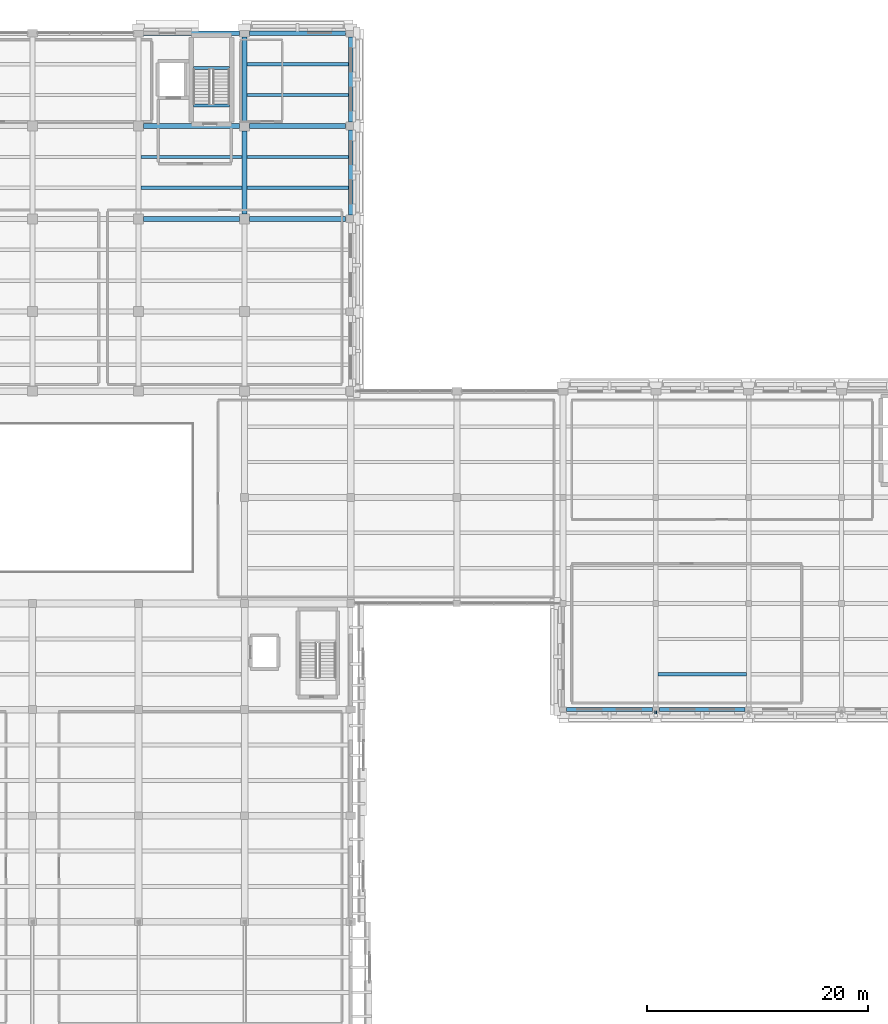
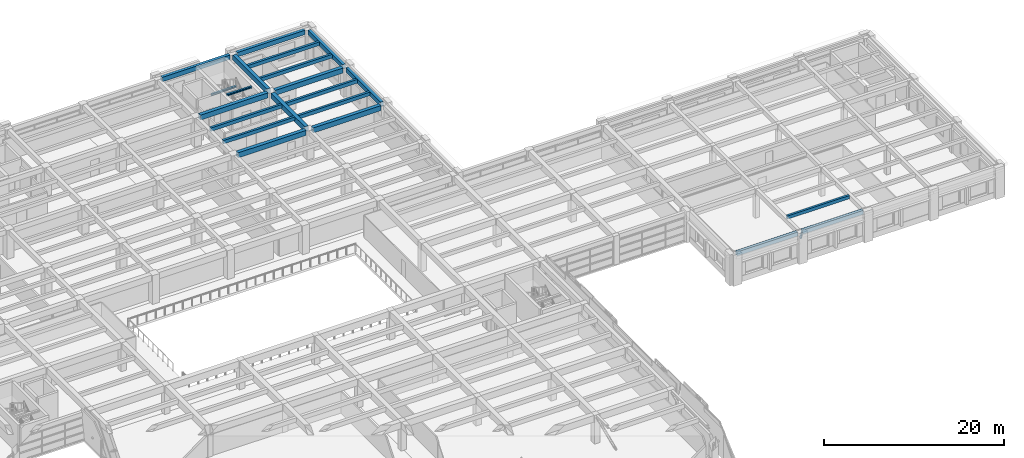
# One storey, part 26 of 62: 21 beams, 1 member.
"""IFC4 building model written with IfcOpenShell, lengths in metres."""

from ifc_helpers import new_model, si_unit, direction, frame, origin, origin_2d, place, context, subcontext, project, spatial, rectangle, hollow_rectangle, i_section, extrude, material, material_profile, profile_set, type_object, element, save


model = new_model("IFC4")

# Units and contexts
model_context = context("Model", 3, precision=1e-05, world=origin(), true_north=direction((0.0, 1.0)))
body_context = subcontext(model_context, "Body", "Model", "MODEL_VIEW")
ifc_project = project(units=[si_unit("LENGTHUNIT", "METRE"), si_unit("AREAUNIT", "SQUARE_METRE"), si_unit("VOLUMEUNIT", "CUBIC_METRE"), si_unit("PLANEANGLEUNIT", "RADIAN"), si_unit("MASSUNIT", "GRAM", prefix="KILO")], contexts=[model_context])

# Site, building, storey
site_placement = place(None, origin())
site = spatial("IfcSite", under=ifc_project, at=site_placement, CompositionType="ELEMENT")
building_placement = place(site_placement, origin())
building = spatial("IfcBuilding", under=site, at=building_placement, Name="Bempovik Park Faculty of Sciences", CompositionType="ELEMENT")
storey_placement = place(building_placement, frame((0.0, 0.0, 9.89990234375)))
storey = spatial("IfcBuildingStorey", under=building, at=storey_placement, Name="L02", CompositionType="ELEMENT", Elevation=9.89990234375)

# Beams
ifc_material_1 = material(Name="Concrete C35/45", Category="concrete")
ifc_material_profile_1 = material_profile(ifc_material_1, rectangle(XDim=0.3798828125, YDim=0.60009765625, at=origin_2d()), Name="RC 380x600")
ifc_profile_set_1 = profile_set([ifc_material_profile_1], Name="Concrete C35/45")
beam_type_1 = type_object("IfcBeamType", Name="B-032 RC 380x600", PredefinedType="SPANDREL", material=ifc_profile_set_1)
for number, where, z_axis, x_axis, name in (
    (1, (98.85595703125, 119.39990234375, 3.60009765625), (1.0, 0.0, 0.0), (0.0, 1.0, 0.0), "L02 Beam X (98.4-108.0, y=119.4)"),
    (2, (108.4560546875, 119.39990234375, 3.60009765625), (1.0, 0.0, 0.0), (0.0, 1.0, 0.0), "L02 Beam X (108.0-117.6, y=119.4)"),
):
    element("IfcBeam", number, at=place(storey_placement, frame(where, z_axis=z_axis, x_axis=x_axis)), inside=storey, type_object=beam_type_1, Name=name, PredefinedType="SPANDREL", context=body_context, shape_type="SweptSolid", body=[
        extrude(rectangle(XDim=0.3798828125, YDim=0.60009765625, at=origin_2d()), origin(), (0.0, 0.0, 1.0), 8.68798828125),
    ])
for number, where, z_axis, x_axis, name in (
    (3, (117.60009765625, 102.9560546875, 3.60009765625), (0.0, 1.0, 0.0), (-1.0, 0.0, 0.0), "L02 Beam Y (x=117.6, 102.6-111.0)"),
    (4, (117.60009765625, 111.35595703125, 3.60009765625), (0.0, 1.0, 0.0), (-1.0, 0.0, 0.0), "L02 Beam Y (x=117.6, 111.0-119.4)"),
):
    element("IfcBeam", number, at=place(storey_placement, frame(where, z_axis=z_axis, x_axis=x_axis)), inside=storey, type_object=beam_type_1, Name=name, PredefinedType="SPANDREL", context=body_context, shape_type="SweptSolid", body=[
        extrude(rectangle(XDim=0.3798828125, YDim=0.60009765625, at=origin_2d()), origin(), (0.0, 0.0, 1.0), 7.68798828125),
    ])
ifc_material_profile_2 = material_profile(ifc_material_1, rectangle(XDim=0.300048828125, YDim=0.47998046875, at=origin_2d()), Name="RC 300x480")
ifc_profile_set_2 = profile_set([ifc_material_profile_2], Name="Concrete C35/45")
beam_type_2 = type_object("IfcBeamType", Name="B-039 RC 300x480", PredefinedType="JOIST", material=ifc_profile_set_2)
for number, where, z_axis, x_axis, name in (
    (5, (98.631103515625, 105.39990234375, 3.66015625), (1.0, 0.0, 0.0), (0.0, 1.0, 0.0), "L02 Secondary Joist (98.4-108.0, y=105.40)"),
    (6, (98.631103515625, 108.199951171875, 3.66015625), (1.0, 0.0, 0.0), (0.0, 1.0, 0.0), "L02 Secondary Joist (98.4-108.0, y=108.20)"),
):
    element("IfcBeam", number, at=place(storey_placement, frame(where, z_axis=z_axis, x_axis=x_axis)), inside=storey, type_object=beam_type_2, Name=name, PredefinedType="JOIST", context=body_context, shape_type="SweptSolid", body=[
        extrude(rectangle(XDim=0.300048828125, YDim=0.47998046875, at=origin_2d()), origin(), (0.0, 0.0, 1.0), 9.137939453125),
    ])
for number, where, z_axis, x_axis, name in (
    (7, (108.23095703125, 105.39990234375, 3.66015625), (1.0, 0.0, 0.0), (0.0, 1.0, 0.0), "L02 Secondary Joist (108.0-117.6, y=105.40)"),
    (8, (108.23095703125, 108.199951171875, 3.66015625), (1.0, 0.0, 0.0), (0.0, 1.0, 0.0), "L02 Secondary Joist (108.0-117.6, y=108.20)"),
    (9, (108.23095703125, 113.800048828125, 3.66015625), (1.0, 0.0, 0.0), (0.0, 1.0, 0.0), "L02 Secondary Joist (108.0-117.6, y=113.80)"),
    (10, (108.23095703125, 116.60009765625, 3.66015625), (1.0, 0.0, 0.0), (0.0, 1.0, 0.0), "L02 Secondary Joist (108.0-117.6, y=116.60)"),
):
    element("IfcBeam", number, at=place(storey_placement, frame(where, z_axis=z_axis, x_axis=x_axis)), inside=storey, type_object=beam_type_2, Name=name, PredefinedType="JOIST", context=body_context, shape_type="SweptSolid", body=[
        extrude(rectangle(XDim=0.300048828125, YDim=0.47998046875, at=origin_2d()), origin(), (0.0, 0.0, 1.0), 9.173095703125),
    ])
ifc_material_profile_3 = material_profile(ifc_material_1, rectangle(XDim=0.35009765625, YDim=0.5400390625, at=origin_2d()), Name="RC 350x540")
ifc_profile_set_3 = profile_set([ifc_material_profile_3], Name="Concrete C35/45")
beam_type_3 = type_object("IfcBeamType", Name="B-059 RC 350x540", PredefinedType="SPANDREL", material=ifc_profile_set_3)
beam_1_placement = place(storey_placement, frame((137.115966796875, 58.199951171875, 3.710205078125), z_axis=(1.0, 0.0, 0.0), x_axis=(0.0, 1.0, 0.0)))
element("IfcBeam", 11, at=beam_1_placement, inside=storey, type_object=beam_type_3, Name="L02 Beam X (136.8-145.2, y=58.2)", PredefinedType="SPANDREL", context=body_context, shape_type="SweptSolid", body=[
    extrude(rectangle(XDim=0.35009765625, YDim=0.5400390625, at=origin_2d()), origin(), (0.0, 0.0, 1.0), 7.76806640625),
])
beam_2_placement = place(storey_placement, frame((145.51611328125, 58.199951171875, 3.710205078125), z_axis=(1.0, 0.0, 0.0), x_axis=(0.0, 1.0, 0.0)))
element("IfcBeam", 12, at=beam_2_placement, inside=storey, type_object=beam_type_3, Name="L02 Beam X (145.2-153.6, y=58.2)", PredefinedType="SPANDREL", context=body_context, shape_type="SweptSolid", body=[
    extrude(rectangle(XDim=0.35009765625, YDim=0.5400390625, at=origin_2d()), origin(), (0.0, 0.0, 1.0), 7.767822265625),
])
ifc_material_2 = material(Name="Steel S355", Category="steel")
ifc_material_profile_4 = material_profile(ifc_material_2, i_section(OverallWidth=0.239990234375, OverallDepth=0.22998046875, WebThickness=0.007568359375, FlangeThickness=0.011962890625, at=origin_2d()), Name="HEA 240")
ifc_profile_set_4 = profile_set([ifc_material_profile_4], Name="Steel S355")
beam_type_4 = type_object("IfcBeamType", Name="B-070 HEA 240", PredefinedType="BEAM", material=ifc_profile_set_4)
for number, where, z_axis, x_axis, name in (
    (13, (103.381103515625, 116.24365234375, 1.78515625), (1.0, 0.0, 0.0), (0.0, 1.0, 0.0), "L02 ST-2 Half-Landing Trimmer Beam"),
    (14, (103.381103515625, 112.85009765625, 3.78515625), (1.0, 0.0, 0.0), (0.0, 1.0, 0.0), "L03 ST-2 Floor Landing Trimmer Beam"),
):
    element("IfcBeam", number, at=place(storey_placement, frame(where, z_axis=z_axis, x_axis=x_axis)), inside=storey, type_object=beam_type_4, Name=name, PredefinedType="BEAM", context=body_context, shape_type="SweptSolid", body=[
        extrude(i_section(OverallWidth=0.239990234375, OverallDepth=0.22998046875, WebThickness=0.007568359375, FlangeThickness=0.011962890625, at=origin_2d()), origin(), (0.0, 0.0, 1.0), 3.23779296875),
    ])
ifc_material_profile_5 = material_profile(ifc_material_1, rectangle(XDim=0.280029296875, YDim=0.43994140625, at=origin_2d()), Name="RC 280x440")
ifc_profile_set_5 = profile_set([ifc_material_profile_5], Name="Concrete C35/45")
beam_type_5 = type_object("IfcBeamType", Name="B-076 RC 280x440", PredefinedType="JOIST", material=ifc_profile_set_5)
beam_3_placement = place(storey_placement, frame((145.406005859375, 61.39990234375, 3.760009765625), z_axis=(1.0, 0.0, 0.0), x_axis=(0.0, 1.0, 0.0)))
element("IfcBeam", 15, at=beam_3_placement, inside=storey, type_object=beam_type_5, Name="L02 Secondary Joist (145.2-153.6, y=61.40)", PredefinedType="JOIST", context=body_context, shape_type="SweptSolid", body=[
    extrude(rectangle(XDim=0.280029296875, YDim=0.43994140625, at=origin_2d()), origin(), (0.0, 0.0, 1.0), 7.988037109375),
])
ifc_material_profile_6 = material_profile(ifc_material_1, rectangle(XDim=0.449951171875, YDim=0.679931640625, at=origin_2d()), Name="RC 450x680")
ifc_profile_set_6 = profile_set([ifc_material_profile_6], Name="Concrete C35/45")
beam_type_6 = type_object("IfcBeamType", Name="B-113 RC 450x680", PredefinedType="BEAM", material=ifc_profile_set_6)
for number, where, z_axis, x_axis, name in (
    (16, (98.85595703125, 102.60009765625, 3.56005859375), (1.0, 0.0, 0.0), (0.0, 1.0, 0.0), "L02 Beam X (98.4-108.0, y=102.6)"),
    (17, (108.4560546875, 102.60009765625, 3.56005859375), (1.0, 0.0, 0.0), (0.0, 1.0, 0.0), "L02 Beam X (108.0-117.6, y=102.6)"),
    (18, (98.85595703125, 111.0, 3.56005859375), (1.0, 0.0, 0.0), (0.0, 1.0, 0.0), "L02 Beam X (98.4-108.0, y=111.0)"),
    (19, (108.4560546875, 111.0, 3.56005859375), (1.0, 0.0, 0.0), (0.0, 1.0, 0.0), "L02 Beam X (108.0-117.6, y=111.0)"),
):
    element("IfcBeam", number, at=place(storey_placement, frame(where, z_axis=z_axis, x_axis=x_axis)), inside=storey, type_object=beam_type_6, Name=name, PredefinedType="BEAM", context=body_context, shape_type="SweptSolid", body=[
        extrude(rectangle(XDim=0.449951171875, YDim=0.679931640625, at=origin_2d()), origin(), (0.0, 0.0, 1.0), 8.68798828125),
    ])
beam_4_placement = place(storey_placement, frame((108.0, 103.055908203125, 3.56005859375), z_axis=(0.0, 1.0, 0.0), x_axis=(-1.0, 0.0, 0.0)))
element("IfcBeam", 20, at=beam_4_placement, inside=storey, type_object=beam_type_6, Name="L02 Beam Y (x=108.0, 102.6-111.0)", PredefinedType="BEAM", context=body_context, shape_type="SweptSolid", body=[
    extrude(rectangle(XDim=0.449951171875, YDim=0.679931640625, at=origin_2d()), origin(), (0.0, 0.0, 1.0), 7.488037109375),
])
beam_5_placement = place(storey_placement, frame((108.0, 111.4560546875, 3.56005859375), z_axis=(0.0, 1.0, 0.0), x_axis=(-1.0, 0.0, 0.0)))
element("IfcBeam", 21, at=beam_5_placement, inside=storey, type_object=beam_type_6, Name="L02 Beam Y (x=108.0, 111.0-119.4)", PredefinedType="BEAM", context=body_context, shape_type="SweptSolid", body=[
    extrude(rectangle(XDim=0.449951171875, YDim=0.679931640625, at=origin_2d()), origin(), (0.0, 0.0, 1.0), 7.587890625),
])

# Member
ifc_material_profile_7 = material_profile(ifc_material_2, hollow_rectangle(XDim=0.14990234375, YDim=0.25, WallThickness=0.010009765625, at=origin_2d()), Name="RHS 250x150x10")
ifc_profile_set_7 = profile_set([ifc_material_profile_7], Name="Steel S355")
member_type = type_object("IfcMemberType", Name="M-61 RHS 250x150x10", PredefinedType="STRUT", material=ifc_profile_set_7)
member_placement = place(storey_placement, frame((145.199951171875, 57.964111328125, 3.10009765625), z_axis=(0.0, -0.327035990836, 0.945011883892), x_axis=(1.0, 0.0, 0.0)))
element("IfcMember", 22, at=member_placement, inside=storey, type_object=member_type, Name="East Wing Classical Eave Strut 1", PredefinedType="STRUT", context=body_context, shape_type="SweptSolid", body=[
    extrude(hollow_rectangle(XDim=0.14990234375, YDim=0.25, WallThickness=0.010009765625, at=origin_2d()), origin(), (0.0, 0.0, 1.0), 0.899658203125),
])

save(model, "model.ifc")
